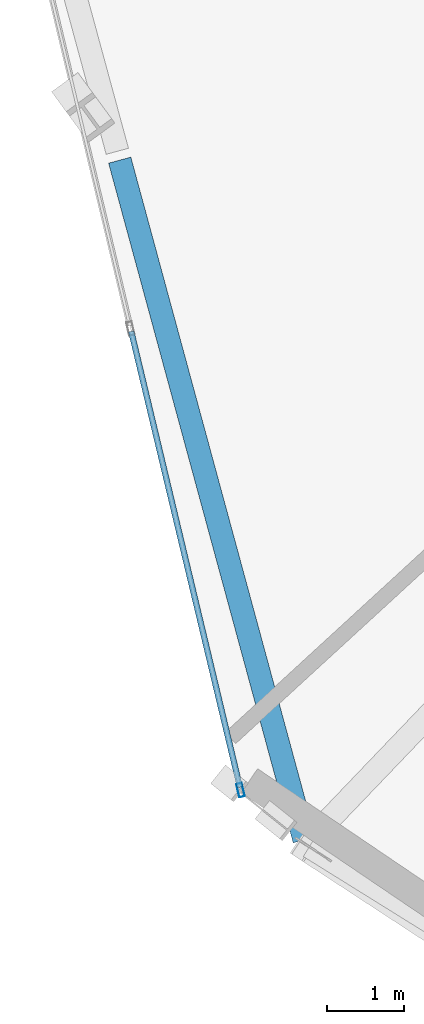
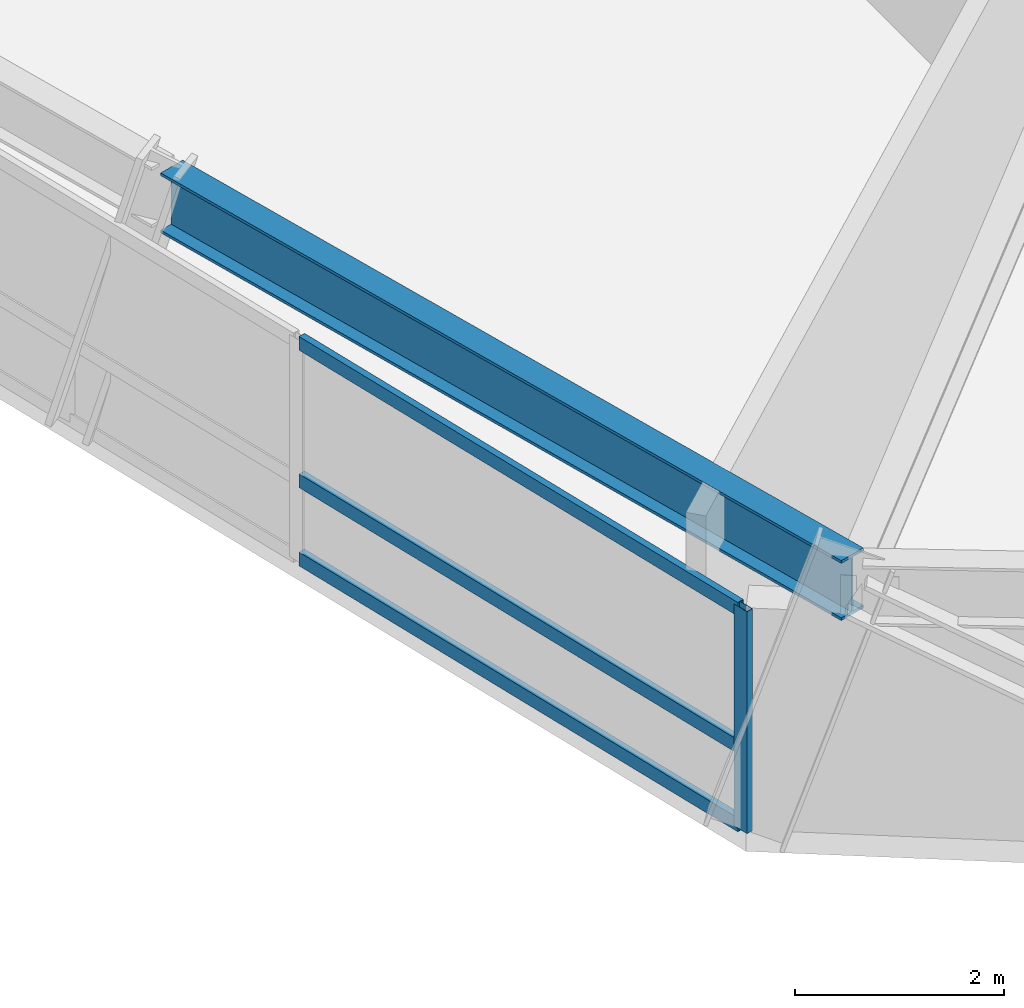
# One storey, part 2 of 21: 4 members, 1 beam, 1 element without a shape of its own.
"""IFC4 building model written with IfcOpenShell, lengths in metres."""

from ifc_helpers import new_model, si_unit, direction, frame, origin, origin_2d, place, context, subcontext, project, spatial, hollow_rectangle, i_section, extrude, source, transform, mapped, material, material_profile, profile_set, type_object, element, aggregate, save


model = new_model("IFC4")

# Units and contexts
model_context = context("Model", 3, precision=1e-05, world=origin(), true_north=direction((0.0, 1.0)))
body_context = subcontext(model_context, "Body", "Model", "MODEL_VIEW")
ifc_project = project(units=[si_unit("LENGTHUNIT", "METRE"), si_unit("AREAUNIT", "SQUARE_METRE"), si_unit("VOLUMEUNIT", "CUBIC_METRE"), si_unit("PLANEANGLEUNIT", "RADIAN"), si_unit("MASSUNIT", "GRAM", prefix="KILO")], contexts=[model_context])

# Site, building, storey
site_placement = place(None, origin())
site = spatial("IfcSite", under=ifc_project, at=site_placement, CompositionType="ELEMENT")
building_placement = place(site_placement, origin())
building = spatial("IfcBuilding", under=site, at=building_placement, Name="Olszyna Solenne Hotel", CompositionType="ELEMENT")
storey_placement = place(building_placement, frame((0.0, 0.0, 39.949951171875)))
storey = spatial("IfcBuildingStorey", under=building, at=storey_placement, Name="L09", CompositionType="ELEMENT", Elevation=39.949951171875)

# Beam
ifc_material_1 = material(Name="Steel S355J2", Category="steel")
ifc_material_profile_1 = material_profile(ifc_material_1, i_section(OverallWidth=0.300048828125, OverallDepth=0.699951171875, WebThickness=0.01708984375, FlangeThickness=0.031982421875, at=origin_2d()), Name="HEB 700", Category="load-bearing")
ifc_profile_set_1 = profile_set([ifc_material_profile_1], Name="Steel S355J2")
beam_type = type_object("IfcBeamType", Name="BM-S1", PredefinedType="BEAM", material=ifc_profile_set_1)
shared_shape_1 = source(origin(), body_context, "Body", "SweptSolid", [
    extrude(i_section(OverallWidth=0.300048828125, OverallDepth=0.699951171875, WebThickness=0.01708984375, FlangeThickness=0.031982421875, at=origin_2d()), origin(), (0.0, 0.0, 1.0), 9.1748046875),
])
beam_placement = place(storey_placement, frame((17.700927734375, 16.82666015625, 2.949951171875), z_axis=(0.262052243738, -0.96505368843, 0.0), x_axis=(0.96505368843, 0.262052243738, 0.0)))
element("IfcBeam", 1, at=beam_placement, inside=storey, type_object=beam_type, Name="Perimeter spandrel beam BM-S1 B-L09-0296", PredefinedType="BEAM", context=body_context, shape_type="MappedRepresentation", body=[
    mapped(shared_shape_1, transform((0.0, 0.0, 0.0), x_axis=(1.0, 0.0, 0.0), y_axis=(0.0, 1.0, 0.0), z_axis=(0.0, 0.0, 1.0), scale=1.0)),
])

# Curtain wall, members
ifc_material_2 = material(Name="Anodised bronze aluminium", Category="aluminium")
curtain_wall_type = type_object("IfcCurtainWallType", Name="CW-SYS-2", PredefinedType="NOTDEFINED", material=ifc_material_2)
curtain_wall_placement = place(storey_placement, origin())
curtain_wall = element("IfcCurtainWall", 2, at=curtain_wall_placement, inside=storey, type_object=curtain_wall_type, Name="Unitised curtain wall CW-SYS-2 CW-L09-01", PredefinedType="NOTDEFINED")
ifc_material_profile_2 = material_profile(ifc_material_2, hollow_rectangle(XDim=0.074951171875, YDim=0.179931640625, WallThickness=0.00439453125, at=origin_2d()), Name="MULL 180x75x4.5", Category="load-bearing")
ifc_profile_set_2 = profile_set([ifc_material_profile_2], Name="Anodised bronze aluminium")
member_type_1 = type_object("IfcMemberType", Name="CW-M2", PredefinedType="MULLION", material=ifc_profile_set_2)
shared_shape_2 = source(origin(), body_context, "Body", "SweptSolid", [
    extrude(hollow_rectangle(XDim=0.074951171875, YDim=0.179931640625, WallThickness=0.00439453125, at=origin_2d()), origin(), (0.0, 0.0, 1.0), 2.592041015625),
])
member_1_placement = place(storey_placement, frame((19.275390625, 8.620361328125, 0.0), z_axis=(0.0, 0.0, 1.0), x_axis=(0.972707617715, 0.232034244109, 0.0)))
member_1 = element("IfcMember", 3, at=member_1_placement, type_object=member_type_1, Name="Curtain-wall mullion CW-M2 CM-L09-01-04", PredefinedType="MULLION", context=body_context, shape_type="MappedRepresentation", body=[
    mapped(shared_shape_2, transform((0.0, 0.0, 0.0), x_axis=(1.0, 0.0, 0.0), y_axis=(0.0, 1.0, 0.0), z_axis=(0.0, 0.0, 1.0), scale=1.0)),
])
ifc_material_profile_3 = material_profile(ifc_material_2, hollow_rectangle(XDim=0.074951171875, YDim=0.159912109375, WallThickness=0.00390625, at=origin_2d()), Name="TRAN 160x75x4", Category="load-bearing")
ifc_profile_set_3 = profile_set([ifc_material_profile_3], Name="Anodised bronze aluminium")
member_type_2 = type_object("IfcMemberType", Name="CW-T1", PredefinedType="USERDEFINED", material=ifc_profile_set_3)
shared_shape_3 = source(origin(), body_context, "Body", "SweptSolid", [
    extrude(hollow_rectangle(XDim=0.074951171875, YDim=0.159912109375, WallThickness=0.00390625, at=origin_2d()), origin(), (0.0, 0.0, 1.0), 6.10693359375),
])
member_2_placement = place(storey_placement, frame((17.849853515625, 14.596923828125, 0.03759765625), z_axis=(0.23203307049, -0.972707897675, 0.0), x_axis=(0.972707897675, 0.23203307049, 0.0)))
member_2 = element("IfcMember", 4, at=member_2_placement, type_object=member_type_2, Name="Curtain-wall transom CW-T1 CT-L09-01-07", ObjectType="TRANSOM", PredefinedType="USERDEFINED", context=body_context, shape_type="MappedRepresentation", body=[
    mapped(shared_shape_3, transform((0.0, 0.0, 0.0), x_axis=(1.0, 0.0, 0.0), y_axis=(0.0, 1.0, 0.0), z_axis=(0.0, 0.0, 1.0), scale=1.0)),
])
member_3_placement = place(storey_placement, frame((17.849853515625, 14.596923828125, 0.949951171875), z_axis=(0.23203307049, -0.972707897675, 0.0), x_axis=(0.972707897675, 0.23203307049, 0.0)))
member_3 = element("IfcMember", 5, at=member_3_placement, type_object=member_type_2, Name="Curtain-wall transom CW-T1 CT-L09-01-08", ObjectType="TRANSOM", PredefinedType="USERDEFINED", context=body_context, shape_type="MappedRepresentation", body=[
    mapped(shared_shape_3, transform((0.0, 0.0, 0.0), x_axis=(1.0, 0.0, 0.0), y_axis=(0.0, 1.0, 0.0), z_axis=(0.0, 0.0, 1.0), scale=1.0)),
])
member_4_placement = place(storey_placement, frame((17.849853515625, 14.596923828125, 2.554443359375), z_axis=(0.23203307049, -0.972707897675, 0.0), x_axis=(0.972707897675, 0.23203307049, 0.0)))
member_4 = element("IfcMember", 6, at=member_4_placement, type_object=member_type_2, Name="Curtain-wall transom CW-T1 CT-L09-01-09", ObjectType="TRANSOM", PredefinedType="USERDEFINED", context=body_context, shape_type="MappedRepresentation", body=[
    mapped(shared_shape_3, transform((0.0, 0.0, 0.0), x_axis=(1.0, 0.0, 0.0), y_axis=(0.0, 1.0, 0.0), z_axis=(0.0, 0.0, 1.0), scale=1.0)),
])
aggregate(curtain_wall, [member_1, member_2, member_3, member_4])

save(model, "model.ifc")
